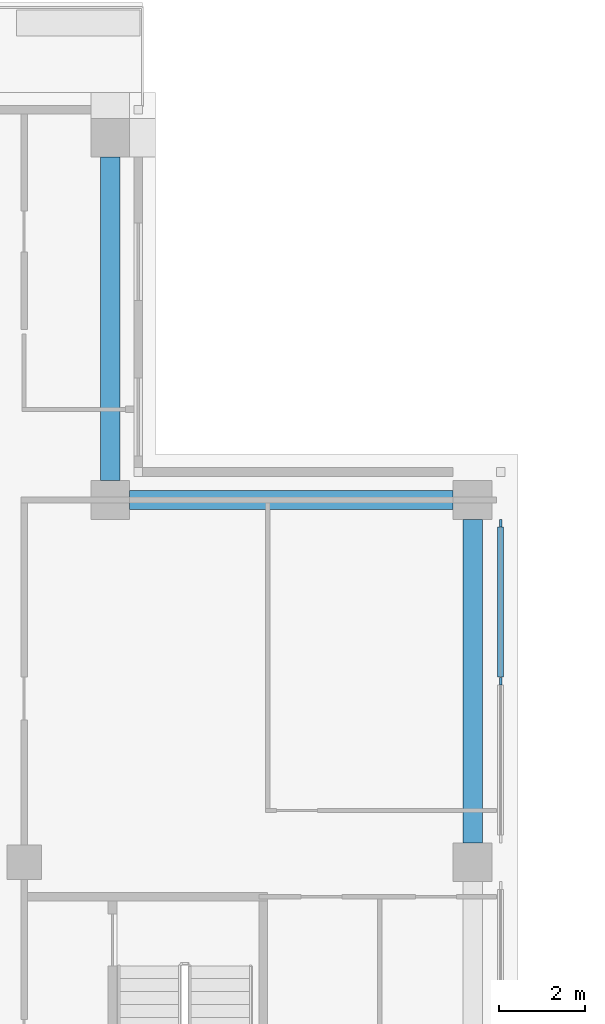
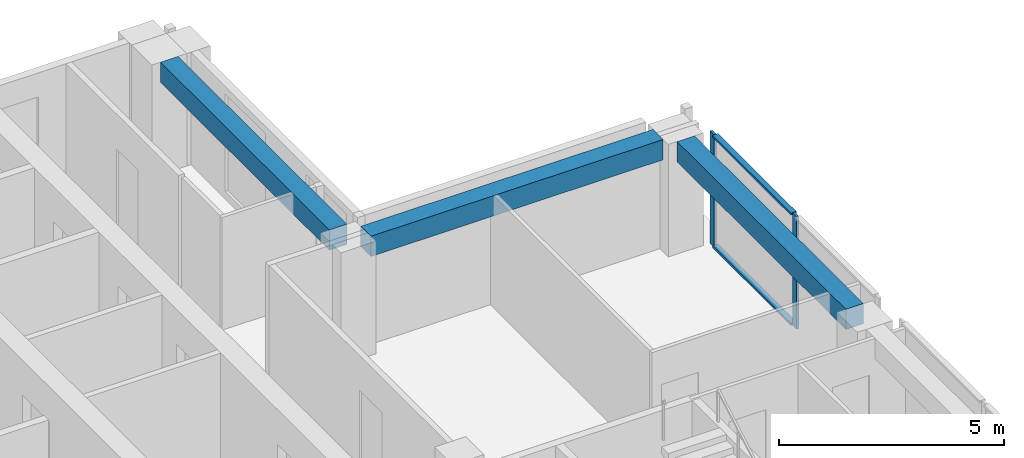
# One storey, part 6 of 17: 4 members, 3 beams, 1 element without a shape of its own.
"""IFC4 building model written with IfcOpenShell, lengths in metres."""

import ifcopenshell
import ifcopenshell.guid

model = None  # the IFC model being written
_history = None  # IfcOwnerHistory: only IFC2X3 demands one
_inside = {}  # id of a spatial element -> (the spatial element, [elements in it])
_under = {}  # id of a project, library or spatial element -> (it, [spatial elements below it])
_declared = {}  # id of a project -> (the project, [libraries it declares])
_typed = {}  # id of a type object -> (the type object, [elements of that type])
_made_of = {}  # id of a material, layer set ... -> (it, [elements and type objects made of it])


def new_model(schema):
    """Start an empty IFC model of exactly this schema.

    Asked for "IFC4X3", IfcOpenShell would pick the latest addendum, in which some entities
    have other attributes; the version numbers below select the first issue.
    IFC2X3 requires an IfcOwnerHistory on every rooted entity: one is made here for all.
    """
    global model, _history
    if schema == "IFC4X3":
        model = ifcopenshell.file(schema_version=(4, 3, 0, 0))
    else:
        model = ifcopenshell.file(schema=schema)
    _inside.clear()
    _under.clear()
    _declared.clear()
    _typed.clear()
    _made_of.clear()
    _history = None
    if model.schema == "IFC2X3":
        org = make("IfcOrganization", Name="unknown")
        user = make(
            "IfcPersonAndOrganization",
            ThePerson=make("IfcPerson", FamilyName="unknown"),
            TheOrganization=org,
        )
        app = make(
            "IfcApplication",
            ApplicationDeveloper=org,
            Version="unknown",
            ApplicationFullName="unknown",
            ApplicationIdentifier="unknown",
        )
        _history = make(
            "IfcOwnerHistory",
            OwningUser=user,
            OwningApplication=app,
            ChangeAction="ADDED",
            CreationDate=0,
        )
    return model


def make(cls, **values):
    """One entity of the class cls with the attributes given. An attribute that is None is left unset."""
    return model.create_entity(
        cls, **{name: value for name, value in values.items() if value is not None}
    )


def rooted(cls, **values):
    """An entity with a GlobalId (a new one), such as an element, a storey or a relation."""
    return make(cls, GlobalId=ifcopenshell.guid.new(), OwnerHistory=_history, **values)


def si_unit(unit_type, name, prefix=None):
    """IfcSIUnit, for example si_unit("LENGTHUNIT", "METRE", prefix="MILLI")."""
    return make("IfcSIUnit", UnitType=unit_type, Prefix=prefix, Name=name)


def assignment(units):
    """IfcUnitAssignment: the units of a project."""
    return None if units is None else make("IfcUnitAssignment", Units=units)


def point(xyz):
    """IfcCartesianPoint."""
    return None if xyz is None else make("IfcCartesianPoint", Coordinates=xyz)


def direction(xyz):
    """IfcDirection."""
    return None if xyz is None else make("IfcDirection", DirectionRatios=xyz)


def frame(location, z_axis=None, x_axis=None):
    """IfcAxis2Placement3D, a coordinate frame: its origin and axes. An axis left out is left unset."""
    return make(
        "IfcAxis2Placement3D",
        Location=point(location),
        Axis=direction(z_axis),
        RefDirection=direction(x_axis),
    )


def frame_2d(location, x_axis=None):
    """IfcAxis2Placement2D, a coordinate frame in the plane: its origin and x axis."""
    return make(
        "IfcAxis2Placement2D", Location=point(location), RefDirection=direction(x_axis)
    )


def origin():
    """The frame at (0, 0, 0) with its axes left unset."""
    return frame((0.0, 0.0, 0.0))


def origin_2d():
    """The frame at (0, 0) in the plane with its x axis left unset."""
    return frame_2d((0.0, 0.0))


def place(relative_to, where):
    """IfcLocalPlacement: puts the frame where relative to a parent placement (None: the world)."""
    return make(
        "IfcLocalPlacement", PlacementRelTo=relative_to, RelativePlacement=where
    )


def context(
    kind, dimensions, precision=None, world=None, true_north=None, identifier=None
):
    """IfcGeometricRepresentationContext, for example the 3D "Model" context."""
    return make(
        "IfcGeometricRepresentationContext",
        ContextIdentifier=identifier,
        ContextType=kind,
        CoordinateSpaceDimension=dimensions,
        Precision=precision,
        WorldCoordinateSystem=world,
        TrueNorth=true_north,
    )


def subcontext(parent, identifier, kind, view, scale=None):
    """IfcGeometricRepresentationSubContext, for example "Body" below "Model"."""
    return make(
        "IfcGeometricRepresentationSubContext",
        ContextIdentifier=identifier,
        ContextType=kind,
        ParentContext=parent,
        TargetScale=scale,
        TargetView=view,
    )


def project(units=None, contexts=None):
    """IfcProject with its units and contexts."""
    return rooted(
        "IfcProject",
        Name="project",
        RepresentationContexts=contexts,
        UnitsInContext=assignment(units),
    )


def spatial(cls, under=None, at=None, **own):
    """A site, building, storey or space (cls), placed at a placement, below another one or the project."""
    s = rooted(cls, ObjectPlacement=at, **own)
    if under is not None:
        _under.setdefault(under.id(), (under, []))[1].append(s)
    return s


def profile(cls, at=None, kind="AREA", **sizes):
    """A parametric profile (cls). Its sizes go by their IFC names, for example OverallWidth=200.0."""
    return make(cls, ProfileType=kind, Position=at, **sizes)


def rectangle(**sizes):
    """IfcRectangleProfileDef."""
    return profile("IfcRectangleProfileDef", **sizes)


def extrude(swept, where, along, depth):
    """IfcExtrudedAreaSolid: the profile swept, set in the frame where, extruded along a direction by depth."""
    return make(
        "IfcExtrudedAreaSolid",
        SweptArea=swept,
        Position=where,
        ExtrudedDirection=direction(along),
        Depth=depth,
    )


def shape(context_of_items, identifier, shape_type, items):
    """IfcShapeRepresentation: the items that make up one representation, for example the "Body"."""
    return make(
        "IfcShapeRepresentation",
        ContextOfItems=context_of_items,
        RepresentationIdentifier=identifier,
        RepresentationType=shape_type,
        Items=items,
    )


def material(Name=None, Category=None):
    """IfcMaterial."""
    return make("IfcMaterial", Name=Name, Category=Category)


def material_profile(
    of_material, cross_section, Name=None, Category=None, Priority=None
):
    """IfcMaterialProfile: a cross section and its material."""
    return make(
        "IfcMaterialProfile",
        Name=Name,
        Material=of_material,
        Profile=cross_section,
        Priority=Priority,
        Category=Category,
    )


def profile_set(profiles, Name=None, composite=None):
    """IfcMaterialProfileSet."""
    return make(
        "IfcMaterialProfileSet",
        Name=Name,
        MaterialProfiles=profiles,
        CompositeProfile=composite,
    )


def made_of(thing, what):
    """Note that an element or type object is made of a material, layer set ...; save() writes the relation."""
    if what is not None:
        _made_of.setdefault(what.id(), (what, []))[1].append(thing)
    return thing


def type_object(cls, material=None, **own):
    """A type object (cls), such as IfcWallType, which elements share."""
    return made_of(rooted(cls, **own), material)


def element(
    cls,
    number,
    at=None,
    inside=None,
    cuts=None,
    type_object=None,
    material=None,
    context=None,
    identifier="Body",
    shape_type=None,
    held_by="IfcProductDefinitionShape",
    body=None,
    shapes=None,
    **own,
):
    """One element of the class cls, such as IfcWall. Its Tag is "e" and its number.

    at: its placement. inside: the storey or other place that contains it. cuts: it is an
    opening in that element (IfcRelVoidsElement). A single representation is given by context,
    identifier, shape_type and body (its items); several are given by shapes. held_by: the class
    of the entity that holds the representations. save() writes the other relations.
    """
    e = rooted(cls, Tag="e%d" % number, ObjectPlacement=at, **own)
    if body is not None:
        shapes = [shape(context, identifier, shape_type, body)]
    if shapes is not None:
        e.Representation = make(held_by, Representations=shapes)
    if inside is not None:
        _inside.setdefault(inside.id(), (inside, []))[1].append(e)
    if cuts is not None:
        rooted(
            "IfcRelVoidsElement", RelatingBuildingElement=cuts, RelatedOpeningElement=e
        )
    if type_object is not None:
        _typed.setdefault(type_object.id(), (type_object, []))[1].append(e)
    return made_of(e, material)


def aggregate(whole, parts):
    """IfcRelAggregates: a whole, such as a stair, and the parts it consists of."""
    return rooted("IfcRelAggregates", RelatingObject=whole, RelatedObjects=parts)


def save(model, path):
    """Write the relations noted so far, then the file.

    IfcRelAggregates (storeys below a building ...), IfcRelContainedInSpatialStructure (elements
    in a storey), IfcRelDefinesByType, IfcRelAssociatesMaterial and IfcRelDeclares: one each for
    every whole, place, type object, material and project.
    """
    for whole, parts in _under.values():
        aggregate(whole, parts)
    for where, things in _inside.values():
        rooted(
            "IfcRelContainedInSpatialStructure",
            RelatedElements=things,
            RelatingStructure=where,
        )
    for kind, things in _typed.values():
        rooted("IfcRelDefinesByType", RelatedObjects=things, RelatingType=kind)
    for what, things in _made_of.values():
        rooted("IfcRelAssociatesMaterial", RelatedObjects=things, RelatingMaterial=what)
    for by, libraries in _declared.values():
        rooted("IfcRelDeclares", RelatingContext=by, RelatedDefinitions=libraries)
    model.write(path)


model = new_model("IFC4")

# Units and contexts
model_context = context("Model", 3, precision=1e-05, world=origin(), true_north=direction((0.0, 1.0)))
body_context = subcontext(model_context, "Body", "Model", "MODEL_VIEW")
ifc_project = project(units=[si_unit("LENGTHUNIT", "METRE"), si_unit("AREAUNIT", "SQUARE_METRE"), si_unit("VOLUMEUNIT", "CUBIC_METRE"), si_unit("PLANEANGLEUNIT", "RADIAN"), si_unit("MASSUNIT", "GRAM", prefix="KILO")], contexts=[model_context])

# Site, building, storey
site_placement = place(None, origin())
site = spatial("IfcSite", under=ifc_project, at=site_placement, CompositionType="ELEMENT")
building_placement = place(site_placement, origin())
building = spatial("IfcBuilding", under=site, at=building_placement, Name="Vermilion Ogive Tower", CompositionType="ELEMENT")
storey_placement = place(building_placement, frame((0.0, 0.0, 257.949951171875)))
storey = spatial("IfcBuildingStorey", under=building, at=storey_placement, Name="L68", CompositionType="ELEMENT", Elevation=257.949951171875)

# Curtain wall, members
ifc_material_1 = material(Name="Low-iron laminated glazing in aluminium frame", Category="aluminium")
curtain_wall_type = type_object("IfcCurtainWallType", Name="Curtain wall CW7", PredefinedType="NOTDEFINED", material=ifc_material_1)
curtain_wall_placement = place(storey_placement, origin())
curtain_wall = element("IfcCurtainWall", 1, at=curtain_wall_placement, inside=storey, type_object=curtain_wall_type, Name="Glazed skin E3", PredefinedType="NOTDEFINED")
ifc_material_2 = material(Name="Aluminium mullion", Category="aluminium")
ifc_material_profile_1 = material_profile(ifc_material_2, rectangle(XDim=0.06005859375, YDim=0.179931640625, at=origin_2d()), Name="AL 60x180")
ifc_profile_set_1 = profile_set([ifc_material_profile_1], Name="Aluminium mullion")
member_type_1 = type_object("IfcMemberType", Name="CW7 mullion 60x180", PredefinedType="MULLION", material=ifc_profile_set_1)
member_1_placement = place(storey_placement, frame((25.85009765625, 8.39990234375, 0.0), z_axis=(0.0, 0.0, 1.0), x_axis=(-1.0, 0.0, 0.0)))
member_1 = element("IfcMember", 2, at=member_1_placement, type_object=member_type_1, Name="CW7-E3 mullion 2", PredefinedType="MULLION", context=body_context, shape_type="SweptSolid", body=[
    extrude(rectangle(XDim=0.06005859375, YDim=0.179931640625, at=origin_2d()), origin(), (0.0, 0.0, 1.0), 3.050048828125),
])
member_2_placement = place(storey_placement, frame((25.85009765625, 12.06005859375, 0.0), z_axis=(0.0, 0.0, 1.0), x_axis=(-1.0, 0.0, 0.0)))
member_2 = element("IfcMember", 3, at=member_2_placement, type_object=member_type_1, Name="CW7-E3 mullion 3", PredefinedType="MULLION", context=body_context, shape_type="SweptSolid", body=[
    extrude(rectangle(XDim=0.06005859375, YDim=0.179931640625, at=origin_2d()), origin(), (0.0, 0.0, 1.0), 3.050048828125),
])
ifc_material_3 = material(Name="Aluminium transom", Category="aluminium")
ifc_material_profile_2 = material_profile(ifc_material_3, rectangle(XDim=0.139892578125, YDim=0.06005859375, at=origin_2d()), Name="AL 60x140")
ifc_profile_set_2 = profile_set([ifc_material_profile_2], Name="Aluminium transom")
member_type_2 = type_object("IfcMemberType", Name="CW7 transom 60x140", PredefinedType="USERDEFINED", material=ifc_profile_set_2)
member_3_placement = place(storey_placement, frame((25.85009765625, 8.489990234375, 0.030029296875), z_axis=(0.0, 1.0, 0.0), x_axis=(-1.0, 0.0, 0.0)))
member_3 = element("IfcMember", 4, at=member_3_placement, type_object=member_type_2, Name="CW7-E3 transom 2.1", ObjectType="TRANSOM", PredefinedType="USERDEFINED", context=body_context, shape_type="SweptSolid", body=[
    extrude(rectangle(XDim=0.139892578125, YDim=0.06005859375, at=origin_2d()), origin(), (0.0, 0.0, 1.0), 3.47998046875),
])
member_4_placement = place(storey_placement, frame((25.85009765625, 8.489990234375, 3.02001953125), z_axis=(0.0, 1.0, 0.0), x_axis=(-1.0, 0.0, 0.0)))
member_4 = element("IfcMember", 5, at=member_4_placement, type_object=member_type_2, Name="CW7-E3 transom 2.2", ObjectType="TRANSOM", PredefinedType="USERDEFINED", context=body_context, shape_type="SweptSolid", body=[
    extrude(rectangle(XDim=0.139892578125, YDim=0.06005859375, at=origin_2d()), origin(), (0.0, 0.0, 1.0), 3.47998046875),
])
aggregate(curtain_wall, [member_1, member_2, member_3, member_4])

# Beams
ifc_material_4 = material(Name="Concrete B45", Category="concrete")
ifc_material_profile_3 = material_profile(ifc_material_4, rectangle(XDim=0.449951171875, YDim=0.550048828125, at=origin_2d()), Name="450 x 550")
ifc_profile_set_3 = profile_set([ifc_material_profile_3], Name="Concrete B45")
beam_type = type_object("IfcBeamType", Name="Edge beam 450 x 550 B45", PredefinedType="BEAM", material=ifc_profile_set_3)
for number, where, z_axis, x_axis, name in (
    (6, (25.199951171875, 4.64990234375, 2.775146484375), (0.0, 1.0, 0.0), (-1.0, 0.0, 0.0), "L68-EB-9"),
    (7, (24.75, 12.60009765625, 2.775146484375), (-1.0, 0.0, 0.0), (0.0, -1.0, 0.0), "L68-EB-10"),
    (8, (16.800048828125, 13.050048828125, 2.775146484375), (0.0, 1.0, 0.0), (-1.0, 0.0, 0.0), "L68-EB-11"),
):
    element("IfcBeam", number, at=place(storey_placement, frame(where, z_axis=z_axis, x_axis=x_axis)), inside=storey, type_object=beam_type, Name=name, PredefinedType="BEAM", context=body_context, shape_type="SweptSolid", body=[
        extrude(rectangle(XDim=0.449951171875, YDim=0.550048828125, at=origin_2d()), origin(), (0.0, 0.0, 1.0), 7.5),
    ])

save(model, "model.ifc")
